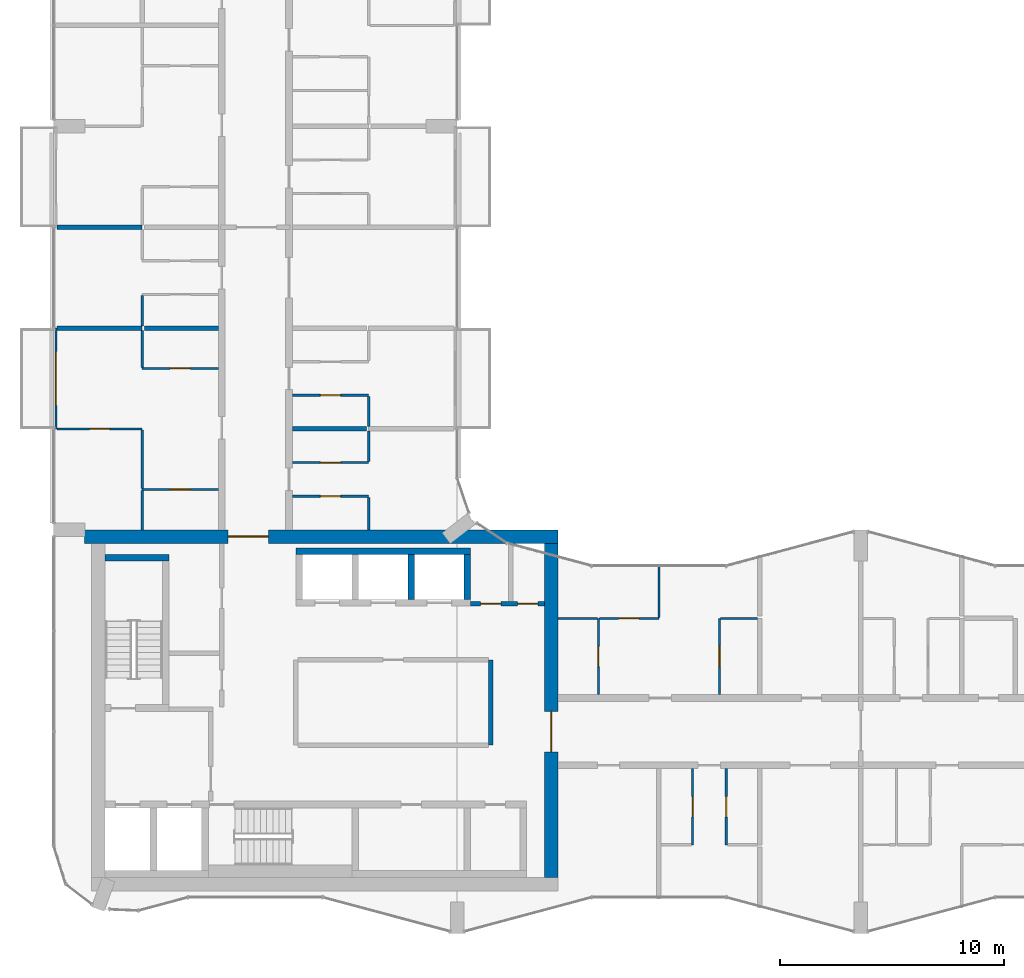
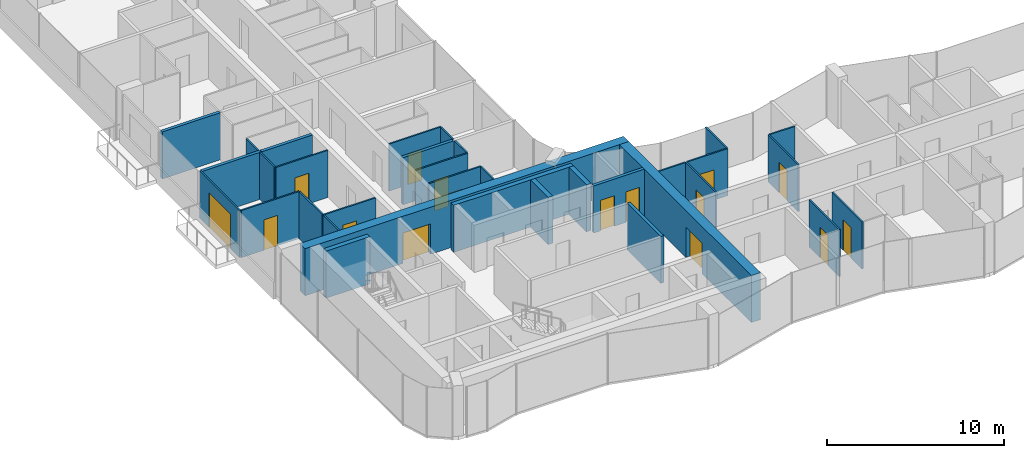
# One storey, part 10 of 17: 34 walls, 16 doors, 16 openings.
"""IFC4 building model written with IfcOpenShell, lengths in metres."""

from ifc_helpers import new_model, si_unit, direction, frame, frame_2d, origin, place, context, subcontext, project, spatial, rectangle, extrude, material, layer, layer_set, type_object, element, fill, save


model = new_model("IFC4")

# Units and contexts
model_context = context("Model", 3, precision=1e-05, world=origin(), true_north=direction((0.0, 1.0)))
body_context = subcontext(model_context, "Body", "Model", "MODEL_VIEW")
ifc_project = project(units=[si_unit("LENGTHUNIT", "METRE"), si_unit("AREAUNIT", "SQUARE_METRE"), si_unit("VOLUMEUNIT", "CUBIC_METRE"), si_unit("PLANEANGLEUNIT", "RADIAN"), si_unit("MASSUNIT", "GRAM", prefix="KILO")], contexts=[model_context])

# Site, building, storey
site_placement = place(None, origin())
site = spatial("IfcSite", under=ifc_project, at=site_placement, CompositionType="ELEMENT")
building_placement = place(site_placement, origin())
building = spatial("IfcBuilding", under=site, at=building_placement, Name="Plateau Cross Towers", CompositionType="ELEMENT")
storey_placement = place(building_placement, frame((0.0, 0.0, 146.39990234375)))
storey = spatial("IfcBuildingStorey", under=building, at=storey_placement, Name="L37", CompositionType="ELEMENT", Elevation=146.39990234375)

# Wall, opening, door
ifc_material_1 = material(Name="Aluminium framed glazing", Category="aluminium")
ifc_layer_1 = layer(ifc_material_1, 0.10009765625)
ifc_layer_set_1 = layer_set([ifc_layer_1], Name="Aluminium framed glazing")
wall_type_1 = type_object("IfcWallType", Name="Balcony screen wall 100", PredefinedType="STANDARD", material=ifc_layer_set_1)
wall_1_placement = place(storey_placement, frame((0.10009765625, 22.5, 0.0), z_axis=(0.0, 0.0, 1.0), x_axis=(0.0, 1.0, 0.0)))
wall_1 = element("IfcWall", 1, at=wall_1_placement, inside=storey, type_object=wall_type_1, Name="Balcony screen wall A-BAL-L37-01", PredefinedType="STANDARD", context=body_context, shape_type="SweptSolid", body=[
    extrude(rectangle(XDim=4.5, YDim=0.10009765625, at=frame_2d((2.25, 0.0))), origin(), (0.0, 0.0, 1.0), 3.25),
])
opening_1_placement = place(wall_1_placement, frame((1.050048828125, 0.0, 0.0)))
opening_1 = element("IfcOpeningElement", 2, at=opening_1_placement, cuts=wall_1, Name="Opening D-B24", PredefinedType="OPENING", context=body_context, shape_type="SweptSolid", body=[
    extrude(rectangle(XDim=2.39990234375, YDim=2.39990234375, at=frame_2d((1.199951171875, 1.199951171875))), frame((0.0, 0.06005859375, 0.0), z_axis=(0.0, -1.0, 0.0), x_axis=(1.0, 0.0, 0.0)), (0.0, 0.0, 1.0), 0.1201171875),
])
ifc_material_2 = material(Name="Aluminium frame, double glazing", Category="aluminium")
door_type_1 = type_object("IfcDoorType", Name="Balcony sliding door 2400", OperationType="NOTDEFINED", PredefinedType="DOOR", material=ifc_material_2)
door_1_placement = place(opening_1_placement, origin())
door_1 = element("IfcDoor", 3, at=door_1_placement, inside=storey, type_object=door_type_1, Name="Balcony door A-BAL-L37-01", OperationType="SINGLE_SWING_LEFT", OverallHeight=2.39990234375, OverallWidth=2.39990234375, PredefinedType="DOOR", context=body_context, shape_type="SweptSolid", body=[
    extrude(rectangle(XDim=2.39990234375, YDim=2.39990234375, at=frame_2d((1.199951171875, 1.199951171875))), frame((0.0, 0.02490234375, 0.0), z_axis=(0.0, -1.0, 0.0), x_axis=(1.0, 0.0, 0.0)), (0.0, 0.0, 1.0), 0.050048828125),
])
fill(opening_1, door_1)

# Wall
ifc_material_3 = material(Name="Concrete block, plastered both sides", Category="concrete")
ifc_layer_2 = layer(ifc_material_3, 0.199951171875)
ifc_layer_set_2 = layer_set([ifc_layer_2], Name="Concrete block, plastered both sides")
wall_type_2 = type_object("IfcWallType", Name="Core partition 200", PredefinedType="PARTITIONING", material=ifc_layer_set_2)
wall_2_placement = place(storey_placement, frame((19.5, 8.39990234375, 0.0), z_axis=(0.0, 0.0, 1.0), x_axis=(0.0, 1.0, 0.0)))
element("IfcWall", 4, at=wall_2_placement, inside=storey, type_object=wall_type_2, Name="Core partition", PredefinedType="PARTITIONING", context=body_context, shape_type="SweptSolid", body=[
    extrude(rectangle(XDim=3.800048828125, YDim=0.199951171875, at=frame_2d((1.89990234375, 0.0))), origin(), (0.0, 0.0, 1.0), 3.25),
])

# Wall, openings, doors
wall_3_placement = place(storey_placement, frame((18.60009765625, 14.699951171875, 0.0), z_axis=(0.0, 0.0, 1.0), x_axis=(1.0, 0.0, 0.0)))
wall_3 = element("IfcWall", 5, at=wall_3_placement, inside=storey, type_object=wall_type_2, Name="Core partition", PredefinedType="PARTITIONING", context=body_context, shape_type="SweptSolid", body=[
    extrude(rectangle(XDim=3.2998046875, YDim=0.199951171875, at=frame_2d((1.64990234375, 0.0))), origin(), (0.0, 0.0, 1.0), 3.25),
])
opening_2_placement = place(wall_3_placement, frame((0.449951171875, 0.0, 0.0)))
opening_2 = element("IfcOpeningElement", 6, at=opening_2_placement, cuts=wall_3, Name="Opening RD2", PredefinedType="OPENING", context=body_context, shape_type="SweptSolid", body=[
    extrude(rectangle(XDim=0.89990234375, YDim=2.10009765625, at=frame_2d((0.449951171875, 1.050048828125))), frame((0.0, 0.10986328125, 0.0), z_axis=(0.0, -1.0, 0.0), x_axis=(1.0, 0.0, 0.0)), (0.0, 0.0, 1.0), 0.219970703125),
])
opening_3_placement = place(wall_3_placement, frame((2.10009765625, 0.0, 0.0)))
opening_3 = element("IfcOpeningElement", 7, at=opening_3_placement, cuts=wall_3, Name="Opening RD2", PredefinedType="OPENING", context=body_context, shape_type="SweptSolid", body=[
    extrude(rectangle(XDim=0.89990234375, YDim=2.10009765625, at=frame_2d((0.449951171875, 1.050048828125))), frame((0.0, 0.10986328125, 0.0), z_axis=(0.0, -1.0, 0.0), x_axis=(1.0, 0.0, 0.0)), (0.0, 0.0, 1.0), 0.219970703125),
])
ifc_material_4 = material(Name="Steel, fire-resisting leaf", Category="steel")
door_type_2 = type_object("IfcDoorType", Name="Core riser door 900", OperationType="NOTDEFINED", PredefinedType="DOOR", material=ifc_material_4)
door_2_placement = place(opening_2_placement, origin())
door_2 = element("IfcDoor", 8, at=door_2_placement, inside=storey, type_object=door_type_2, Name="Core riser door RD2", OperationType="SINGLE_SWING_LEFT", OverallHeight=2.10009765625, OverallWidth=0.89990234375, PredefinedType="DOOR", context=body_context, shape_type="SweptSolid", body=[
    extrude(rectangle(XDim=0.89990234375, YDim=2.10009765625, at=frame_2d((0.449951171875, 1.050048828125))), frame((0.0, 0.02490234375, 0.0), z_axis=(0.0, -1.0, 0.0), x_axis=(1.0, 0.0, 0.0)), (0.0, 0.0, 1.0), 0.050048828125),
])
fill(opening_2, door_2)
door_3_placement = place(opening_3_placement, origin())
door_3 = element("IfcDoor", 9, at=door_3_placement, inside=storey, type_object=door_type_2, Name="Core riser door RD2", OperationType="SINGLE_SWING_LEFT", OverallHeight=2.10009765625, OverallWidth=0.89990234375, PredefinedType="DOOR", context=body_context, shape_type="SweptSolid", body=[
    extrude(rectangle(XDim=0.89990234375, YDim=2.10009765625, at=frame_2d((0.449951171875, 1.050048828125))), frame((0.0, 0.02490234375, 0.0), z_axis=(0.0, -1.0, 0.0), x_axis=(1.0, 0.0, 0.0)), (0.0, 0.0, 1.0), 0.050048828125),
])
fill(opening_3, door_3)

# Walls
ifc_material_5 = material(Name="Concrete C60/75", Category="concrete")
ifc_layer_3 = layer(ifc_material_5, 0.300048828125)
ifc_layer_set_3 = layer_set([ifc_layer_3], Name="Concrete C60/75")
wall_type_3 = type_object("IfcWallType", Name="Core shaft wall 300", PredefinedType="SHEAR", material=ifc_layer_set_3)
wall_4_placement = place(storey_placement, frame((2.300048828125, 16.75, 0.0), z_axis=(0.0, 0.0, 1.0), x_axis=(1.0, 0.0, 0.0)))
element("IfcWall", 10, at=wall_4_placement, inside=storey, type_object=wall_type_3, Name="A-st1-N@L37", PredefinedType="SHEAR", context=body_context, shape_type="SweptSolid", body=[
    extrude(rectangle(XDim=2.849853515625, YDim=0.300048828125, at=frame_2d((1.4248046875, 0.0))), origin(), (0.0, 0.0, 1.0), 3.25),
])
wall_5_placement = place(storey_placement, frame((10.800048828125, 17.050048828125, 0.0), z_axis=(0.0, 0.0, 1.0), x_axis=(1.0, 0.0, 0.0)))
element("IfcWall", 11, at=wall_5_placement, inside=storey, type_object=wall_type_3, Name="A-nb-back@L37", PredefinedType="SHEAR", context=body_context, shape_type="SweptSolid", body=[
    extrude(rectangle(XDim=7.800048828125, YDim=0.300048828125, at=frame_2d((3.89990234375, 0.0))), origin(), (0.0, 0.0, 1.0), 3.25),
])
for number, where, z_axis, x_axis, name in (
    (12, (15.949951171875, 14.89990234375, 0.0), (0.0, 0.0, 1.0), (0.0, 1.0, 0.0), "A-nb-v3@L37"),
    (13, (18.449951171875, 14.89990234375, 0.0), (0.0, 0.0, 1.0), (0.0, 1.0, 0.0), "A-nb-v4@L37"),
):
    element("IfcWall", number, at=place(storey_placement, frame(where, z_axis=z_axis, x_axis=x_axis)), inside=storey, type_object=wall_type_3, Name=name, PredefinedType="SHEAR", context=body_context, shape_type="SweptSolid", body=[
        extrude(rectangle(XDim=2.0, YDim=0.300048828125, at=frame_2d((1.0, 0.0))), origin(), (0.0, 0.0, 1.0), 3.25),
    ])

# Wall, opening, door
ifc_layer_4 = layer(ifc_material_5, 0.60009765625)
ifc_layer_set_4 = layer_set([ifc_layer_4], Name="Concrete C60/75")
wall_type_4 = type_object("IfcWallType", Name="Core shell wall 600", PredefinedType="SHEAR", material=ifc_layer_set_4)
wall_6_placement = place(storey_placement, frame((1.3798828125, 17.699951171875, 0.0), z_axis=(0.0, 0.0, 1.0), x_axis=(1.0, 0.0, 0.0)))
wall_6 = element("IfcWall", 14, at=wall_6_placement, inside=storey, type_object=wall_type_4, Name="A-core-N@L37", PredefinedType="SHEAR", context=body_context, shape_type="SweptSolid", body=[
    extrude(rectangle(XDim=21.1201171875, YDim=0.60009765625, at=frame_2d((10.56005859375, 0.0))), origin(), (0.0, 0.0, 1.0), 3.25),
])
opening_4_placement = place(wall_6_placement, frame((6.39990234375, 0.0, 0.0)))
opening_4 = element("IfcOpeningElement", 15, at=opening_4_placement, cuts=wall_6, Name="Opening CD", PredefinedType="OPENING", context=body_context, shape_type="SweptSolid", body=[
    extrude(rectangle(XDim=1.800048828125, YDim=2.10009765625, at=frame_2d((0.89990234375, 1.050048828125))), frame((0.0, 0.31005859375, 0.0), z_axis=(0.0, -1.0, 0.0), x_axis=(1.0, 0.0, 0.0)), (0.0, 0.0, 1.0), 0.6201171875),
])
ifc_material_6 = material(Name="Steel, fire-resisting leaves", Category="steel")
door_type_3 = type_object("IfcDoorType", Name="Corridor door pair 1800", OperationType="NOTDEFINED", PredefinedType="DOOR", material=ifc_material_6)
door_4_placement = place(opening_4_placement, origin())
door_4 = element("IfcDoor", 16, at=door_4_placement, inside=storey, type_object=door_type_3, Name="Corridor door pair CD", OperationType="DOUBLE_DOOR_SINGLE_SWING", OverallHeight=2.10009765625, OverallWidth=1.800048828125, PredefinedType="DOOR", context=body_context, shape_type="SweptSolid", body=[
    extrude(rectangle(XDim=1.800048828125, YDim=2.10009765625, at=frame_2d((0.89990234375, 1.050048828125))), frame((0.0, 0.02490234375, 0.0), z_axis=(0.0, -1.0, 0.0), x_axis=(1.0, 0.0, 0.0)), (0.0, 0.0, 1.0), 0.050048828125),
])
fill(opening_4, door_4)

wall_7_placement = place(storey_placement, frame((22.199951171875, 2.5, 0.0), z_axis=(0.0, 0.0, 1.0), x_axis=(0.0, 1.0, 0.0)))
wall_7 = element("IfcWall", 17, at=wall_7_placement, inside=storey, type_object=wall_type_4, Name="A-core-E@L37", PredefinedType="SHEAR", context=body_context, shape_type="SweptSolid", body=[
    extrude(rectangle(XDim=14.89990234375, YDim=0.60009765625, at=frame_2d((7.449951171875, 0.0))), origin(), (0.0, 0.0, 1.0), 3.25),
])
opening_5_placement = place(wall_7_placement, frame((5.60009765625, 0.0, 0.0)))
opening_5 = element("IfcOpeningElement", 18, at=opening_5_placement, cuts=wall_7, Name="Opening CD", PredefinedType="OPENING", context=body_context, shape_type="SweptSolid", body=[
    extrude(rectangle(XDim=1.800048828125, YDim=2.10009765625, at=frame_2d((0.89990234375, 1.050048828125))), frame((0.0, 0.31005859375, 0.0), z_axis=(0.0, -1.0, 0.0), x_axis=(1.0, 0.0, 0.0)), (0.0, 0.0, 1.0), 0.6201171875),
])
door_5_placement = place(opening_5_placement, origin())
door_5 = element("IfcDoor", 19, at=door_5_placement, inside=storey, type_object=door_type_3, Name="Corridor door pair CD", OperationType="DOUBLE_DOOR_SINGLE_SWING", OverallHeight=2.10009765625, OverallWidth=1.800048828125, PredefinedType="DOOR", context=body_context, shape_type="SweptSolid", body=[
    extrude(rectangle(XDim=1.800048828125, YDim=2.10009765625, at=frame_2d((0.89990234375, 1.050048828125))), frame((0.0, 0.02490234375, 0.0), z_axis=(0.0, -1.0, 0.0), x_axis=(1.0, 0.0, 0.0)), (0.0, 0.0, 1.0), 0.050048828125),
])
fill(opening_5, door_5)

# Walls
ifc_material_7 = material(Name="Gypsum board on steel studs", Category="steel")
ifc_layer_5 = layer(ifc_material_7, 0.10009765625)
ifc_layer_set_5 = layer_set([ifc_layer_5], Name="Gypsum board on steel studs")
wall_type_5 = type_object("IfcWallType", Name="Flat partition 100", PredefinedType="PARTITIONING", material=ifc_layer_set_5)
wall_8_placement = place(storey_placement, frame((24.25, 14.050048828125, 0.0), z_axis=(0.0, 0.0, 1.0), x_axis=(-1.0, 0.0, 0.0)))
element("IfcWall", 20, at=wall_8_placement, inside=storey, type_object=wall_type_5, Name="Partition wall", PredefinedType="PARTITIONING", context=body_context, shape_type="SweptSolid", body=[
    extrude(rectangle(XDim=1.75, YDim=0.10009765625, at=frame_2d((0.875, 0.0))), origin(), (0.0, 0.0, 1.0), 3.25),
])
wall_9_placement = place(storey_placement, frame((31.39990234375, 14.050048828125, 0.0), z_axis=(0.0, 0.0, 1.0), x_axis=(-1.0, 0.0, 0.0)))
element("IfcWall", 21, at=wall_9_placement, inside=storey, type_object=wall_type_5, Name="Partition wall", PredefinedType="PARTITIONING", context=body_context, shape_type="SweptSolid", body=[
    extrude(rectangle(XDim=1.64990234375, YDim=0.10009765625, at=frame_2d((0.824951171875, 0.0))), origin(), (0.0, 0.0, 1.0), 3.25),
])

# Wall, opening, door
wall_10_placement = place(storey_placement, frame((24.35009765625, 14.050048828125, 0.0), z_axis=(0.0, 0.0, 1.0), x_axis=(1.0, 0.0, 0.0)))
wall_10 = element("IfcWall", 22, at=wall_10_placement, inside=storey, type_object=wall_type_5, Name="Partition wall", PredefinedType="PARTITIONING", context=body_context, shape_type="SweptSolid", body=[
    extrude(rectangle(XDim=2.64990234375, YDim=0.10009765625, at=frame_2d((1.324951171875, 0.0))), origin(), (0.0, 0.0, 1.0), 3.25),
])
opening_6_placement = place(wall_10_placement, frame((0.85009765625, 0.0, 0.0)))
opening_6 = element("IfcOpeningElement", 23, at=opening_6_placement, cuts=wall_10, Name="Opening 37-33", PredefinedType="OPENING", context=body_context, shape_type="SweptSolid", body=[
    extrude(rectangle(XDim=0.89990234375, YDim=2.10009765625, at=frame_2d((0.449951171875, 1.050048828125))), frame((0.0, 0.06005859375, 0.0), z_axis=(0.0, -1.0, 0.0), x_axis=(1.0, 0.0, 0.0)), (0.0, 0.0, 1.0), 0.1201171875),
])
ifc_material_8 = material(Name="Timber leaf", Category="wood")
door_type_4 = type_object("IfcDoorType", Name="Flat room door 900", OperationType="NOTDEFINED", PredefinedType="DOOR", material=ifc_material_8)
door_6_placement = place(opening_6_placement, origin())
door_6 = element("IfcDoor", 24, at=door_6_placement, inside=storey, type_object=door_type_4, Name="Door 37-33", OperationType="SINGLE_SWING_LEFT", OverallHeight=2.10009765625, OverallWidth=0.89990234375, PredefinedType="DOOR", context=body_context, shape_type="SweptSolid", body=[
    extrude(rectangle(XDim=0.89990234375, YDim=2.10009765625, at=frame_2d((0.449951171875, 1.050048828125))), frame((0.0, 0.02490234375, 0.0), z_axis=(0.0, -1.0, 0.0), x_axis=(1.0, 0.0, 0.0)), (0.0, 0.0, 1.0), 0.050048828125),
])
fill(opening_6, door_6)

wall_11_placement = place(storey_placement, frame((14.050048828125, 19.5, 0.0), z_axis=(0.0, 0.0, 1.0), x_axis=(-1.0, 0.0, 0.0)))
wall_11 = element("IfcWall", 25, at=wall_11_placement, inside=storey, type_object=wall_type_5, Name="Partition wall", PredefinedType="PARTITIONING", context=body_context, shape_type="SweptSolid", body=[
    extrude(rectangle(XDim=3.400146484375, YDim=0.10009765625, at=frame_2d((1.7001953125, 0.0))), origin(), (0.0, 0.0, 1.0), 3.25),
])
opening_7_placement = place(wall_11_placement, frame((1.25, 0.0, 0.0)))
opening_7 = element("IfcOpeningElement", 26, at=opening_7_placement, cuts=wall_11, Name="Opening 37-44", PredefinedType="OPENING", context=body_context, shape_type="SweptSolid", body=[
    extrude(rectangle(XDim=0.89990234375, YDim=2.10009765625, at=frame_2d((0.449951171875, 1.050048828125))), frame((0.0, 0.06005859375, 0.0), z_axis=(0.0, -1.0, 0.0), x_axis=(1.0, 0.0, 0.0)), (0.0, 0.0, 1.0), 0.1201171875),
])
door_7_placement = place(opening_7_placement, origin())
door_7 = element("IfcDoor", 27, at=door_7_placement, inside=storey, type_object=door_type_4, Name="Door 37-44", OperationType="SINGLE_SWING_LEFT", OverallHeight=2.10009765625, OverallWidth=0.89990234375, PredefinedType="DOOR", context=body_context, shape_type="SweptSolid", body=[
    extrude(rectangle(XDim=0.89990234375, YDim=2.10009765625, at=frame_2d((0.449951171875, 1.050048828125))), frame((0.0, 0.02490234375, 0.0), z_axis=(0.0, -1.0, 0.0), x_axis=(1.0, 0.0, 0.0)), (0.0, 0.0, 1.0), 0.050048828125),
])
fill(opening_7, door_7)

wall_12_placement = place(storey_placement, frame((7.35009765625, 19.800048828125, 0.0), z_axis=(0.0, 0.0, 1.0), x_axis=(-1.0, 0.0, 0.0)))
wall_12 = element("IfcWall", 28, at=wall_12_placement, inside=storey, type_object=wall_type_5, Name="Partition wall", PredefinedType="PARTITIONING", context=body_context, shape_type="SweptSolid", body=[
    extrude(rectangle(XDim=3.400146484375, YDim=0.10009765625, at=frame_2d((1.7001953125, 0.0))), origin(), (0.0, 0.0, 1.0), 3.25),
])
opening_8_placement = place(wall_12_placement, frame((1.25, 0.0, 0.0)))
opening_8 = element("IfcOpeningElement", 29, at=opening_8_placement, cuts=wall_12, Name="Opening 37-36", PredefinedType="OPENING", context=body_context, shape_type="SweptSolid", body=[
    extrude(rectangle(XDim=0.89990234375, YDim=2.10009765625, at=frame_2d((0.449951171875, 1.050048828125))), frame((0.0, 0.06005859375, 0.0), z_axis=(0.0, -1.0, 0.0), x_axis=(1.0, 0.0, 0.0)), (0.0, 0.0, 1.0), 0.1201171875),
])
door_8_placement = place(opening_8_placement, origin())
door_8 = element("IfcDoor", 30, at=door_8_placement, inside=storey, type_object=door_type_4, Name="Door 37-36", OperationType="SINGLE_SWING_RIGHT", OverallHeight=2.10009765625, OverallWidth=0.89990234375, PredefinedType="DOOR", context=body_context, shape_type="SweptSolid", body=[
    extrude(rectangle(XDim=0.89990234375, YDim=2.10009765625, at=frame_2d((0.449951171875, 1.050048828125))), frame((0.0, 0.02490234375, 0.0), z_axis=(0.0, -1.0, 0.0), x_axis=(1.0, 0.0, 0.0)), (0.0, 0.0, 1.0), 0.050048828125),
])
fill(opening_8, door_8)

wall_13_placement = place(storey_placement, frame((10.64990234375, 21.0, 0.0), z_axis=(0.0, 0.0, 1.0), x_axis=(1.0, 0.0, 0.0)))
wall_13 = element("IfcWall", 31, at=wall_13_placement, inside=storey, type_object=wall_type_5, Name="Partition wall", PredefinedType="PARTITIONING", context=body_context, shape_type="SweptSolid", body=[
    extrude(rectangle(XDim=3.400146484375, YDim=0.10009765625, at=frame_2d((1.7001953125, 0.0))), origin(), (0.0, 0.0, 1.0), 3.25),
])
opening_9_placement = place(wall_13_placement, frame((1.25, 0.0, 0.0)))
opening_9 = element("IfcOpeningElement", 32, at=opening_9_placement, cuts=wall_13, Name="Opening 37-45", PredefinedType="OPENING", context=body_context, shape_type="SweptSolid", body=[
    extrude(rectangle(XDim=0.89990234375, YDim=2.10009765625, at=frame_2d((0.449951171875, 1.050048828125))), frame((0.0, 0.06005859375, 0.0), z_axis=(0.0, -1.0, 0.0), x_axis=(1.0, 0.0, 0.0)), (0.0, 0.0, 1.0), 0.1201171875),
])
door_9_placement = place(opening_9_placement, origin())
door_9 = element("IfcDoor", 33, at=door_9_placement, inside=storey, type_object=door_type_4, Name="Door 37-45", OperationType="SINGLE_SWING_LEFT", OverallHeight=2.10009765625, OverallWidth=0.89990234375, PredefinedType="DOOR", context=body_context, shape_type="SweptSolid", body=[
    extrude(rectangle(XDim=0.89990234375, YDim=2.10009765625, at=frame_2d((0.449951171875, 1.050048828125))), frame((0.0, 0.02490234375, 0.0), z_axis=(0.0, -1.0, 0.0), x_axis=(1.0, 0.0, 0.0)), (0.0, 0.0, 1.0), 0.050048828125),
])
fill(opening_9, door_9)

wall_14_placement = place(storey_placement, frame((3.949951171875, 22.5, 0.0), z_axis=(0.0, 0.0, 1.0), x_axis=(-1.0, 0.0, 0.0)))
wall_14 = element("IfcWall", 34, at=wall_14_placement, inside=storey, type_object=wall_type_5, Name="Partition wall", PredefinedType="PARTITIONING", context=body_context, shape_type="SweptSolid", body=[
    extrude(rectangle(XDim=3.800048828125, YDim=0.10009765625, at=frame_2d((1.89990234375, 0.0))), origin(), (0.0, 0.0, 1.0), 3.25),
])
opening_10_placement = place(wall_14_placement, frame((1.449951171875, 0.0, 0.0)))
opening_10 = element("IfcOpeningElement", 35, at=opening_10_placement, cuts=wall_14, Name="Opening 37-38", PredefinedType="OPENING", context=body_context, shape_type="SweptSolid", body=[
    extrude(rectangle(XDim=0.89990234375, YDim=2.10009765625, at=frame_2d((0.449951171875, 1.050048828125))), frame((0.0, 0.06005859375, 0.0), z_axis=(0.0, -1.0, 0.0), x_axis=(1.0, 0.0, 0.0)), (0.0, 0.0, 1.0), 0.1201171875),
])
door_10_placement = place(opening_10_placement, origin())
door_10 = element("IfcDoor", 36, at=door_10_placement, inside=storey, type_object=door_type_4, Name="Door 37-38", OperationType="SINGLE_SWING_LEFT", OverallHeight=2.10009765625, OverallWidth=0.89990234375, PredefinedType="DOOR", context=body_context, shape_type="SweptSolid", body=[
    extrude(rectangle(XDim=0.89990234375, YDim=2.10009765625, at=frame_2d((0.449951171875, 1.050048828125))), frame((0.0, 0.02490234375, 0.0), z_axis=(0.0, -1.0, 0.0), x_axis=(1.0, 0.0, 0.0)), (0.0, 0.0, 1.0), 0.050048828125),
])
fill(opening_10, door_10)

wall_15_placement = place(storey_placement, frame((14.050048828125, 24.0, 0.0), z_axis=(0.0, 0.0, 1.0), x_axis=(-1.0, 0.0, 0.0)))
wall_15 = element("IfcWall", 37, at=wall_15_placement, inside=storey, type_object=wall_type_5, Name="Partition wall", PredefinedType="PARTITIONING", context=body_context, shape_type="SweptSolid", body=[
    extrude(rectangle(XDim=3.400146484375, YDim=0.10009765625, at=frame_2d((1.7001953125, 0.0))), origin(), (0.0, 0.0, 1.0), 3.25),
])
opening_11_placement = place(wall_15_placement, frame((1.25, 0.0, 0.0)))
opening_11 = element("IfcOpeningElement", 38, at=opening_11_placement, cuts=wall_15, Name="Opening 37-46", PredefinedType="OPENING", context=body_context, shape_type="SweptSolid", body=[
    extrude(rectangle(XDim=0.89990234375, YDim=2.10009765625, at=frame_2d((0.449951171875, 1.050048828125))), frame((0.0, 0.06005859375, 0.0), z_axis=(0.0, -1.0, 0.0), x_axis=(1.0, 0.0, 0.0)), (0.0, 0.0, 1.0), 0.1201171875),
])
door_11_placement = place(opening_11_placement, origin())
door_11 = element("IfcDoor", 39, at=door_11_placement, inside=storey, type_object=door_type_4, Name="Door 37-46", OperationType="SINGLE_SWING_LEFT", OverallHeight=2.10009765625, OverallWidth=0.89990234375, PredefinedType="DOOR", context=body_context, shape_type="SweptSolid", body=[
    extrude(rectangle(XDim=0.89990234375, YDim=2.10009765625, at=frame_2d((0.449951171875, 1.050048828125))), frame((0.0, 0.02490234375, 0.0), z_axis=(0.0, -1.0, 0.0), x_axis=(1.0, 0.0, 0.0)), (0.0, 0.0, 1.0), 0.050048828125),
])
fill(opening_11, door_11)

wall_16_placement = place(storey_placement, frame((3.949951171875, 25.199951171875, 0.0), z_axis=(0.0, 0.0, 1.0), x_axis=(1.0, 0.0, 0.0)))
wall_16 = element("IfcWall", 40, at=wall_16_placement, inside=storey, type_object=wall_type_5, Name="Partition wall", PredefinedType="PARTITIONING", context=body_context, shape_type="SweptSolid", body=[
    extrude(rectangle(XDim=3.400146484375, YDim=0.10009765625, at=frame_2d((1.7001953125, 0.0))), origin(), (0.0, 0.0, 1.0), 3.25),
])
opening_12_placement = place(wall_16_placement, frame((1.25, 0.0, 0.0)))
opening_12 = element("IfcOpeningElement", 41, at=opening_12_placement, cuts=wall_16, Name="Opening 37-37", PredefinedType="OPENING", context=body_context, shape_type="SweptSolid", body=[
    extrude(rectangle(XDim=0.89990234375, YDim=2.10009765625, at=frame_2d((0.449951171875, 1.050048828125))), frame((0.0, 0.06005859375, 0.0), z_axis=(0.0, -1.0, 0.0), x_axis=(1.0, 0.0, 0.0)), (0.0, 0.0, 1.0), 0.1201171875),
])
door_12_placement = place(opening_12_placement, origin())
door_12 = element("IfcDoor", 42, at=door_12_placement, inside=storey, type_object=door_type_4, Name="Door 37-37", OperationType="SINGLE_SWING_RIGHT", OverallHeight=2.10009765625, OverallWidth=0.89990234375, PredefinedType="DOOR", context=body_context, shape_type="SweptSolid", body=[
    extrude(rectangle(XDim=0.89990234375, YDim=2.10009765625, at=frame_2d((0.449951171875, 1.050048828125))), frame((0.0, 0.02490234375, 0.0), z_axis=(0.0, -1.0, 0.0), x_axis=(1.0, 0.0, 0.0)), (0.0, 0.0, 1.0), 0.050048828125),
])
fill(opening_12, door_12)

# Walls
wall_17_placement = place(storey_placement, frame((3.949951171875, 19.75, 0.0), z_axis=(0.0, 0.0, 1.0), x_axis=(0.0, -1.0, 0.0)))
element("IfcWall", 43, at=wall_17_placement, inside=storey, type_object=wall_type_5, Name="Partition wall", PredefinedType="PARTITIONING", context=body_context, shape_type="SweptSolid", body=[
    extrude(rectangle(XDim=1.75, YDim=0.10009765625, at=frame_2d((0.875, 0.0))), origin(), (0.0, 0.0, 1.0), 3.25),
])
wall_18_placement = place(storey_placement, frame((3.949951171875, 26.89990234375, 0.0), z_axis=(0.0, 0.0, 1.0), x_axis=(0.0, -1.0, 0.0)))
element("IfcWall", 44, at=wall_18_placement, inside=storey, type_object=wall_type_5, Name="Partition wall", PredefinedType="PARTITIONING", context=body_context, shape_type="SweptSolid", body=[
    extrude(rectangle(XDim=1.64990234375, YDim=0.10009765625, at=frame_2d((0.824951171875, 0.0))), origin(), (0.0, 0.0, 1.0), 3.25),
])
wall_19_placement = place(storey_placement, frame((3.949951171875, 28.449951171875, 0.0), z_axis=(0.0, 0.0, 1.0), x_axis=(0.0, -1.0, 0.0)))
element("IfcWall", 45, at=wall_19_placement, inside=storey, type_object=wall_type_5, Name="Partition wall", PredefinedType="PARTITIONING", context=body_context, shape_type="SweptSolid", body=[
    extrude(rectangle(XDim=1.349853515625, YDim=0.10009765625, at=frame_2d((0.6748046875, 0.0))), origin(), (0.0, 0.0, 1.0), 3.25),
])
wall_20_placement = place(storey_placement, frame((3.949951171875, 19.85009765625, 0.0), z_axis=(0.0, 0.0, 1.0), x_axis=(0.0, 1.0, 0.0)))
element("IfcWall", 46, at=wall_20_placement, inside=storey, type_object=wall_type_5, Name="Partition wall", PredefinedType="PARTITIONING", context=body_context, shape_type="SweptSolid", body=[
    extrude(rectangle(XDim=2.599853515625, YDim=0.10009765625, at=frame_2d((1.2998046875, 0.0))), origin(), (0.0, 0.0, 1.0), 3.25),
])
wall_21_placement = place(storey_placement, frame((14.050048828125, 18.0, 0.0), z_axis=(0.0, 0.0, 1.0), x_axis=(0.0, 1.0, 0.0)))
element("IfcWall", 47, at=wall_21_placement, inside=storey, type_object=wall_type_5, Name="Partition wall", PredefinedType="PARTITIONING", context=body_context, shape_type="SweptSolid", body=[
    extrude(rectangle(XDim=1.449951171875, YDim=0.10009765625, at=frame_2d((0.72509765625, 0.0))), origin(), (0.0, 0.0, 1.0), 3.25),
])
for number, where, z_axis, x_axis, name in (
    (48, (14.050048828125, 21.050048828125, 0.0), (0.0, 0.0, 1.0), (0.0, 1.0, 0.0), "Partition wall"),
    (49, (14.050048828125, 22.60009765625, 0.0), (0.0, 0.0, 1.0), (0.0, 1.0, 0.0), "Partition wall"),
):
    element("IfcWall", number, at=place(storey_placement, frame(where, z_axis=z_axis, x_axis=x_axis)), inside=storey, type_object=wall_type_5, Name=name, PredefinedType="PARTITIONING", context=body_context, shape_type="SweptSolid", body=[
        extrude(rectangle(XDim=1.349853515625, YDim=0.10009765625, at=frame_2d((0.6748046875, 0.0))), origin(), (0.0, 0.0, 1.0), 3.25),
    ])

# Wall, opening, door
wall_22_placement = place(storey_placement, frame((24.300048828125, 10.64990234375, 0.0), z_axis=(0.0, 0.0, 1.0), x_axis=(0.0, 1.0, 0.0)))
wall_22 = element("IfcWall", 50, at=wall_22_placement, inside=storey, type_object=wall_type_5, Name="Partition wall", PredefinedType="PARTITIONING", context=body_context, shape_type="SweptSolid", body=[
    extrude(rectangle(XDim=3.400146484375, YDim=0.10009765625, at=frame_2d((1.7001953125, 0.0))), origin(), (0.0, 0.0, 1.0), 3.25),
])
opening_13_placement = place(wall_22_placement, frame((1.25, 0.0, 0.0)))
opening_13 = element("IfcOpeningElement", 51, at=opening_13_placement, cuts=wall_22, Name="Opening 37-31", PredefinedType="OPENING", context=body_context, shape_type="SweptSolid", body=[
    extrude(rectangle(XDim=0.89990234375, YDim=2.10009765625, at=frame_2d((0.449951171875, 1.050048828125))), frame((0.0, 0.06005859375, 0.0), z_axis=(0.0, -1.0, 0.0), x_axis=(1.0, 0.0, 0.0)), (0.0, 0.0, 1.0), 0.1201171875),
])
door_13_placement = place(opening_13_placement, origin())
door_13 = element("IfcDoor", 52, at=door_13_placement, inside=storey, type_object=door_type_4, Name="Door 37-31", OperationType="SINGLE_SWING_LEFT", OverallHeight=2.10009765625, OverallWidth=0.89990234375, PredefinedType="DOOR", context=body_context, shape_type="SweptSolid", body=[
    extrude(rectangle(XDim=0.89990234375, YDim=2.10009765625, at=frame_2d((0.449951171875, 1.050048828125))), frame((0.0, 0.02490234375, 0.0), z_axis=(0.0, -1.0, 0.0), x_axis=(1.0, 0.0, 0.0)), (0.0, 0.0, 1.0), 0.050048828125),
])
fill(opening_13, door_13)

# Wall
wall_23_placement = place(storey_placement, frame((27.0, 14.10009765625, 0.0), z_axis=(0.0, 0.0, 1.0), x_axis=(0.0, 1.0, 0.0)))
element("IfcWall", 53, at=wall_23_placement, inside=storey, type_object=wall_type_5, Name="Partition wall", PredefinedType="PARTITIONING", context=body_context, shape_type="SweptSolid", body=[
    extrude(rectangle(XDim=2.373046875, YDim=0.10009765625, at=frame_2d((1.1865234375, 0.0))), origin(), (0.0, 0.0, 1.0), 3.25),
])

# Wall, opening, door
wall_24_placement = place(storey_placement, frame((28.5, 3.949951171875, 0.0), z_axis=(0.0, 0.0, 1.0), x_axis=(0.0, 1.0, 0.0)))
wall_24 = element("IfcWall", 54, at=wall_24_placement, inside=storey, type_object=wall_type_5, Name="Partition wall", PredefinedType="PARTITIONING", context=body_context, shape_type="SweptSolid", body=[
    extrude(rectangle(XDim=3.400146484375, YDim=0.10009765625, at=frame_2d((1.7001953125, 0.0))), origin(), (0.0, 0.0, 1.0), 3.25),
])
opening_14_placement = place(wall_24_placement, frame((1.25, 0.0, 0.0)))
opening_14 = element("IfcOpeningElement", 55, at=opening_14_placement, cuts=wall_24, Name="Opening 37-24", PredefinedType="OPENING", context=body_context, shape_type="SweptSolid", body=[
    extrude(rectangle(XDim=0.89990234375, YDim=2.10009765625, at=frame_2d((0.449951171875, 1.050048828125))), frame((0.0, 0.06005859375, 0.0), z_axis=(0.0, -1.0, 0.0), x_axis=(1.0, 0.0, 0.0)), (0.0, 0.0, 1.0), 0.1201171875),
])
door_14_placement = place(opening_14_placement, origin())
door_14 = element("IfcDoor", 56, at=door_14_placement, inside=storey, type_object=door_type_4, Name="Door 37-24", OperationType="SINGLE_SWING_RIGHT", OverallHeight=2.10009765625, OverallWidth=0.89990234375, PredefinedType="DOOR", context=body_context, shape_type="SweptSolid", body=[
    extrude(rectangle(XDim=0.89990234375, YDim=2.10009765625, at=frame_2d((0.449951171875, 1.050048828125))), frame((0.0, 0.02490234375, 0.0), z_axis=(0.0, -1.0, 0.0), x_axis=(1.0, 0.0, 0.0)), (0.0, 0.0, 1.0), 0.050048828125),
])
fill(opening_14, door_14)

wall_25_placement = place(storey_placement, frame((29.699951171875, 14.050048828125, 0.0), z_axis=(0.0, 0.0, 1.0), x_axis=(0.0, -1.0, 0.0)))
wall_25 = element("IfcWall", 57, at=wall_25_placement, inside=storey, type_object=wall_type_5, Name="Partition wall", PredefinedType="PARTITIONING", context=body_context, shape_type="SweptSolid", body=[
    extrude(rectangle(XDim=3.400146484375, YDim=0.10009765625, at=frame_2d((1.7001953125, 0.0))), origin(), (0.0, 0.0, 1.0), 3.25),
])
opening_15_placement = place(wall_25_placement, frame((1.25, 0.0, 0.0)))
opening_15 = element("IfcOpeningElement", 58, at=opening_15_placement, cuts=wall_25, Name="Opening 37-32", PredefinedType="OPENING", context=body_context, shape_type="SweptSolid", body=[
    extrude(rectangle(XDim=0.89990234375, YDim=2.10009765625, at=frame_2d((0.449951171875, 1.050048828125))), frame((0.0, 0.06005859375, 0.0), z_axis=(0.0, -1.0, 0.0), x_axis=(1.0, 0.0, 0.0)), (0.0, 0.0, 1.0), 0.1201171875),
])
door_15_placement = place(opening_15_placement, origin())
door_15 = element("IfcDoor", 59, at=door_15_placement, inside=storey, type_object=door_type_4, Name="Door 37-32", OperationType="SINGLE_SWING_LEFT", OverallHeight=2.10009765625, OverallWidth=0.89990234375, PredefinedType="DOOR", context=body_context, shape_type="SweptSolid", body=[
    extrude(rectangle(XDim=0.89990234375, YDim=2.10009765625, at=frame_2d((0.449951171875, 1.050048828125))), frame((0.0, 0.02490234375, 0.0), z_axis=(0.0, -1.0, 0.0), x_axis=(1.0, 0.0, 0.0)), (0.0, 0.0, 1.0), 0.050048828125),
])
fill(opening_15, door_15)

wall_26_placement = place(storey_placement, frame((30.0, 7.35009765625, 0.0), z_axis=(0.0, 0.0, 1.0), x_axis=(0.0, -1.0, 0.0)))
wall_26 = element("IfcWall", 60, at=wall_26_placement, inside=storey, type_object=wall_type_5, Name="Partition wall", PredefinedType="PARTITIONING", context=body_context, shape_type="SweptSolid", body=[
    extrude(rectangle(XDim=3.400146484375, YDim=0.10009765625, at=frame_2d((1.7001953125, 0.0))), origin(), (0.0, 0.0, 1.0), 3.25),
])
opening_16_placement = place(wall_26_placement, frame((1.25, 0.0, 0.0)))
opening_16 = element("IfcOpeningElement", 61, at=opening_16_placement, cuts=wall_26, Name="Opening 37-25", PredefinedType="OPENING", context=body_context, shape_type="SweptSolid", body=[
    extrude(rectangle(XDim=0.89990234375, YDim=2.10009765625, at=frame_2d((0.449951171875, 1.050048828125))), frame((0.0, 0.06005859375, 0.0), z_axis=(0.0, -1.0, 0.0), x_axis=(1.0, 0.0, 0.0)), (0.0, 0.0, 1.0), 0.1201171875),
])
door_16_placement = place(opening_16_placement, origin())
door_16 = element("IfcDoor", 62, at=door_16_placement, inside=storey, type_object=door_type_4, Name="Door 37-25", OperationType="SINGLE_SWING_RIGHT", OverallHeight=2.10009765625, OverallWidth=0.89990234375, PredefinedType="DOOR", context=body_context, shape_type="SweptSolid", body=[
    extrude(rectangle(XDim=0.89990234375, YDim=2.10009765625, at=frame_2d((0.449951171875, 1.050048828125))), frame((0.0, 0.02490234375, 0.0), z_axis=(0.0, -1.0, 0.0), x_axis=(1.0, 0.0, 0.0)), (0.0, 0.0, 1.0), 0.050048828125),
])
fill(opening_16, door_16)

# Walls
ifc_material_9 = material(Name="Gypsum board on steel studs, two layers each side", Category="steel")
ifc_layer_6 = layer(ifc_material_9, 0.199951171875)
ifc_layer_set_6 = layer_set([ifc_layer_6], Name="Gypsum board on steel studs, two layers each side")
wall_type_6 = type_object("IfcWallType", Name="Flat party wall 200", PredefinedType="PARTITIONING", material=ifc_layer_set_6)
for number, where, z_axis, x_axis, name in (
    (63, (13.949951171875, 22.5, 0.0), (0.0, 0.0, 1.0), (-1.0, 0.0, 0.0), "Party wall"),
    (64, (7.35009765625, 27.0, 0.0), (0.0, 0.0, 1.0), (-1.0, 0.0, 0.0), "Party wall"),
):
    element("IfcWall", number, at=place(storey_placement, frame(where, z_axis=z_axis, x_axis=x_axis)), inside=storey, type_object=wall_type_6, Name=name, PredefinedType="PARTITIONING", context=body_context, shape_type="SweptSolid", body=[
        extrude(rectangle(XDim=3.300048828125, YDim=0.199951171875, at=frame_2d((1.64990234375, 0.0))), origin(), (0.0, 0.0, 1.0), 3.25),
    ])
for number, where, z_axis, x_axis, name in (
    (65, (0.14990234375, 27.0, 0.0), (0.0, 0.0, 1.0), (1.0, 0.0, 0.0), "Party wall"),
    (66, (0.14990234375, 31.5, 0.0), (0.0, 0.0, 1.0), (1.0, 0.0, 0.0), "Party wall"),
):
    element("IfcWall", number, at=place(storey_placement, frame(where, z_axis=z_axis, x_axis=x_axis)), inside=storey, type_object=wall_type_6, Name=name, PredefinedType="PARTITIONING", context=body_context, shape_type="SweptSolid", body=[
        extrude(rectangle(XDim=3.800048828125, YDim=0.199951171875, at=frame_2d((1.89990234375, 0.0))), origin(), (0.0, 0.0, 1.0), 3.25),
    ])

save(model, "model.ifc")
